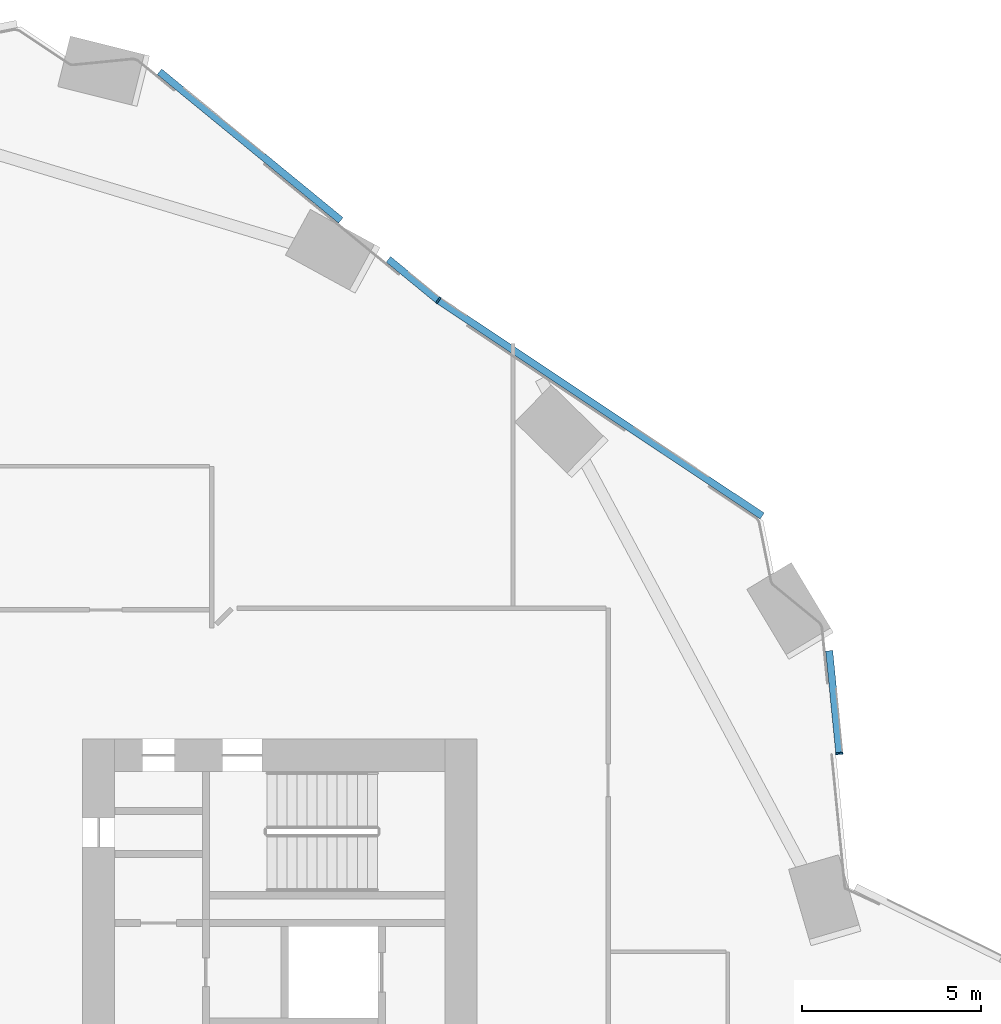
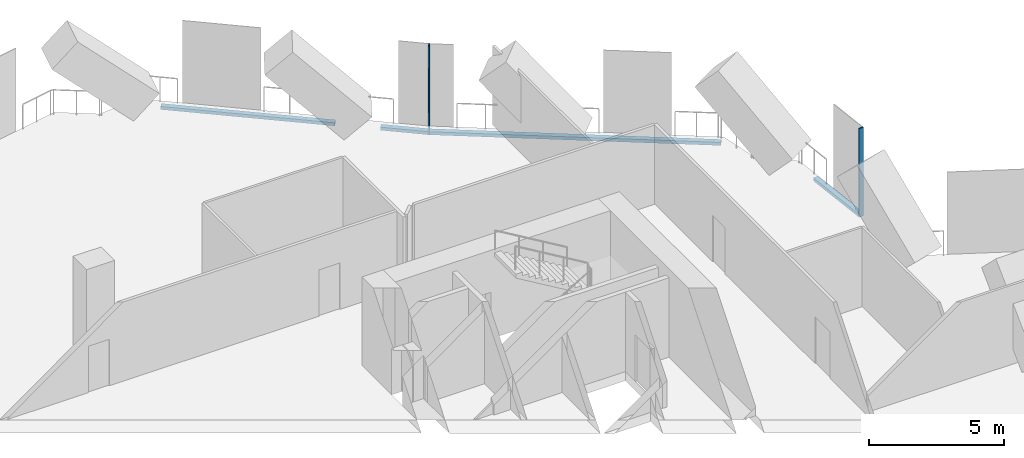
# One storey, part 14 of 31: 6 members, 3 elements without a shape of their own.
"""IFC4 building model written with IfcOpenShell, lengths in metres."""

from ifc_helpers import new_model, si_unit, direction, frame, origin, origin_2d, place, context, subcontext, project, spatial, rectangle, extrude, material, material_profile, profile_set, type_object, element, aggregate, save


model = new_model("IFC4")

# Units and contexts
model_context = context("Model", 3, precision=1e-05, world=origin(), true_north=direction((0.0, 1.0)))
body_context = subcontext(model_context, "Body", "Model", "MODEL_VIEW")
ifc_project = project(units=[si_unit("LENGTHUNIT", "METRE"), si_unit("AREAUNIT", "SQUARE_METRE"), si_unit("VOLUMEUNIT", "CUBIC_METRE"), si_unit("PLANEANGLEUNIT", "RADIAN"), si_unit("MASSUNIT", "GRAM", prefix="KILO")], contexts=[model_context])

# Site, building, storey
site_placement = place(None, origin())
site = spatial("IfcSite", under=ifc_project, at=site_placement, CompositionType="ELEMENT")
building_placement = place(site_placement, origin())
building = spatial("IfcBuilding", under=site, at=building_placement, Name="Orlundy Tower", CompositionType="ELEMENT")
storey_placement = place(building_placement, frame((0.0, 0.0, 54.800048828125)))
storey = spatial("IfcBuildingStorey", under=building, at=storey_placement, Name="L12", CompositionType="ELEMENT", Elevation=54.800048828125)

# Curtain wall, member
ifc_material_1 = material(Name="Aluminium bronze anodised", Category="aluminium")
curtain_wall_type = type_object("IfcCurtainWallType", Name="CW5 wall", PredefinedType="NOTDEFINED", material=ifc_material_1)
curtain_wall_1_placement = place(storey_placement, origin())
curtain_wall_1 = element("IfcCurtainWall", 1, at=curtain_wall_1_placement, inside=storey, type_object=curtain_wall_type, Name="CW5 run 025", PredefinedType="NOTDEFINED")
ifc_material_2 = material(Name="Aluminium bronze anodised", Category="aluminium")
ifc_material_profile_1 = material_profile(ifc_material_2, rectangle(XDim=0.199951171875, YDim=0.050048828125, at=origin_2d()), Name="CW5 mullion 50x200")
ifc_profile_set_1 = profile_set([ifc_material_profile_1], Name="Aluminium bronze anodised")
member_type_1 = type_object("IfcMemberType", Name="CW5 mullion 50x200", PredefinedType="MULLION", material=ifc_profile_set_1)
member_1_placement = place(storey_placement, frame((17.920654296875, 24.2294921875, -0.400146484375), z_axis=(0.0, 0.0, 1.0), x_axis=(0.594813453596, 0.803863766705, 0.0)))
member_1 = element("IfcMember", 2, at=member_1_placement, type_object=member_type_1, Name="CW5 mullion 44", PredefinedType="MULLION", context=body_context, shape_type="SweptSolid", body=[
    extrude(rectangle(XDim=0.199951171875, YDim=0.050048828125, at=origin_2d()), origin(), (0.0, 0.0, 1.0), 4.0),
])

curtain_wall_2_placement = place(storey_placement, origin())
curtain_wall_2 = element("IfcCurtainWall", 3, at=curtain_wall_2_placement, inside=storey, type_object=curtain_wall_type, Name="CW5 run 028", PredefinedType="NOTDEFINED")
member_2_placement = place(storey_placement, frame((29.096435546875, 11.600830078125, -0.400146484375), z_axis=(0.0, 0.0, 1.0), x_axis=(0.995108120756, 0.098791841793, 0.0)))
member_2 = element("IfcMember", 4, at=member_2_placement, type_object=member_type_1, Name="CW5 mullion 49", PredefinedType="MULLION", context=body_context, shape_type="SweptSolid", body=[
    extrude(rectangle(XDim=0.199951171875, YDim=0.050048828125, at=origin_2d()), origin(), (0.0, 0.0, 1.0), 4.0),
])

# Curtain wall, members
curtain_wall_3_placement = place(storey_placement, origin())
curtain_wall_3 = element("IfcCurtainWall", 5, at=curtain_wall_3_placement, inside=storey, type_object=curtain_wall_type, Name="CW5 run 024", PredefinedType="NOTDEFINED")
ifc_material_3 = material(Name="Aluminium bronze anodised", Category="aluminium")
ifc_material_profile_2 = material_profile(ifc_material_3, rectangle(XDim=0.199951171875, YDim=0.139892578125, at=origin_2d()), Name="CW5 transom 200x140")
ifc_profile_set_2 = profile_set([ifc_material_profile_2], Name="Aluminium bronze anodised")
member_type_2 = type_object("IfcMemberType", Name="CW5 transom 200x140", PredefinedType="USERDEFINED", material=ifc_profile_set_2)
member_3_placement = place(storey_placement, frame((10.145751953125, 30.6005859375, -0.330078125), z_axis=(0.773480984481, -0.633819506363, 0.0), x_axis=(0.633819506363, 0.773480984481, 0.0)))
member_3 = element("IfcMember", 6, at=member_3_placement, type_object=member_type_2, Name="CW5 transom", ObjectType="TRANSOM", PredefinedType="USERDEFINED", context=body_context, shape_type="SweptSolid", body=[
    extrude(rectangle(XDim=0.199951171875, YDim=0.139892578125, at=origin_2d()), origin(), (0.0, 0.0, 1.0), 6.534423828125),
])
member_4_placement = place(storey_placement, frame((16.52734375, 25.371337890625, -0.330078125), z_axis=(0.773411989154, -0.633903695393, 0.0), x_axis=(0.633903695393, 0.773411989154, 0.0)))
member_4 = element("IfcMember", 7, at=member_4_placement, type_object=member_type_2, Name="CW5 transom", ObjectType="TRANSOM", PredefinedType="USERDEFINED", context=body_context, shape_type="SweptSolid", body=[
    extrude(rectangle(XDim=0.199951171875, YDim=0.139892578125, at=origin_2d()), origin(), (0.0, 0.0, 1.0), 1.7763671875),
])
aggregate(curtain_wall_3, [member_3, member_4])

# Member
member_5_placement = place(storey_placement, frame((17.94140625, 24.215576171875, -0.330078125), z_axis=(0.832296720883, -0.554330378391, 0.0), x_axis=(0.554330378391, 0.832296720883, 0.0)))
member_5 = element("IfcMember", 8, at=member_5_placement, type_object=member_type_2, Name="CW5 transom", ObjectType="TRANSOM", PredefinedType="USERDEFINED", context=body_context, shape_type="SweptSolid", body=[
    extrude(rectangle(XDim=0.199951171875, YDim=0.139892578125, at=origin_2d()), origin(), (0.0, 0.0, 1.0), 10.818115234375),
])

aggregate(curtain_wall_1, [member_1, member_5])

member_6_placement = place(storey_placement, frame((28.8125, 14.462890625, -0.330078125), z_axis=(0.09873216523, -0.995114043489, 0.0), x_axis=(0.995114043489, 0.09873216523, 0.0)))
member_6 = element("IfcMember", 9, at=member_6_placement, type_object=member_type_2, Name="CW5 transom", ObjectType="TRANSOM", PredefinedType="USERDEFINED", context=body_context, shape_type="SweptSolid", body=[
    extrude(rectangle(XDim=0.199951171875, YDim=0.139892578125, at=origin_2d()), origin(), (0.0, 0.0, 1.0), 2.85107421875),
])

aggregate(curtain_wall_2, [member_2, member_6])

save(model, "model.ifc")
